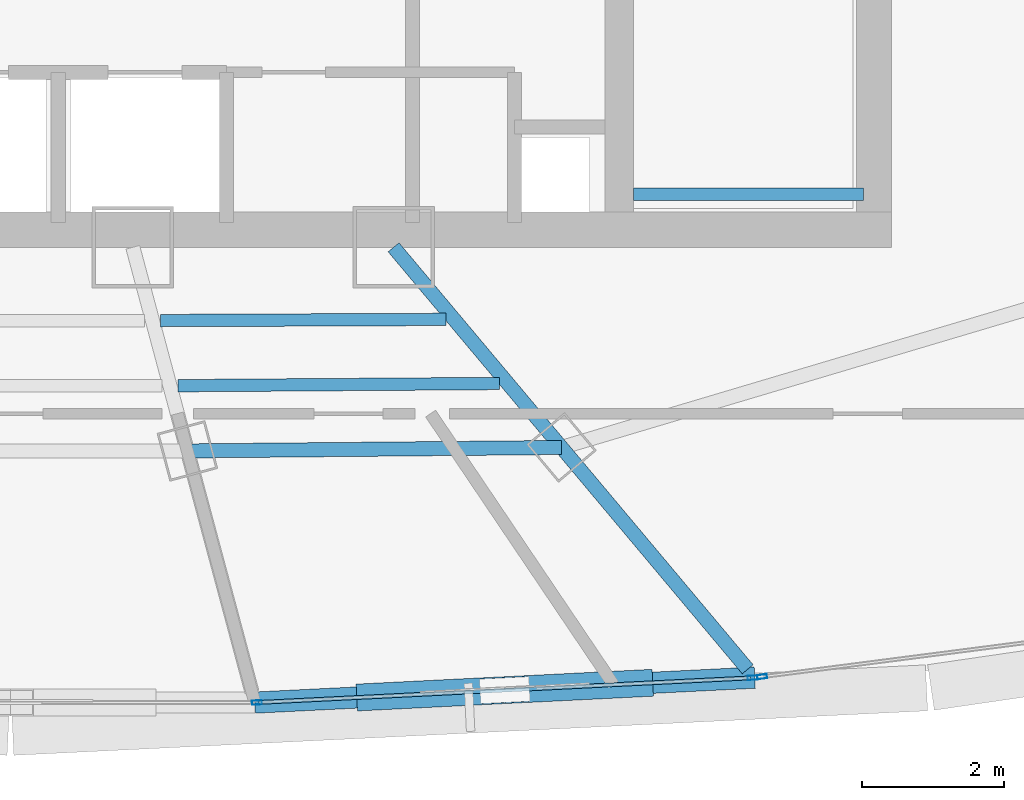
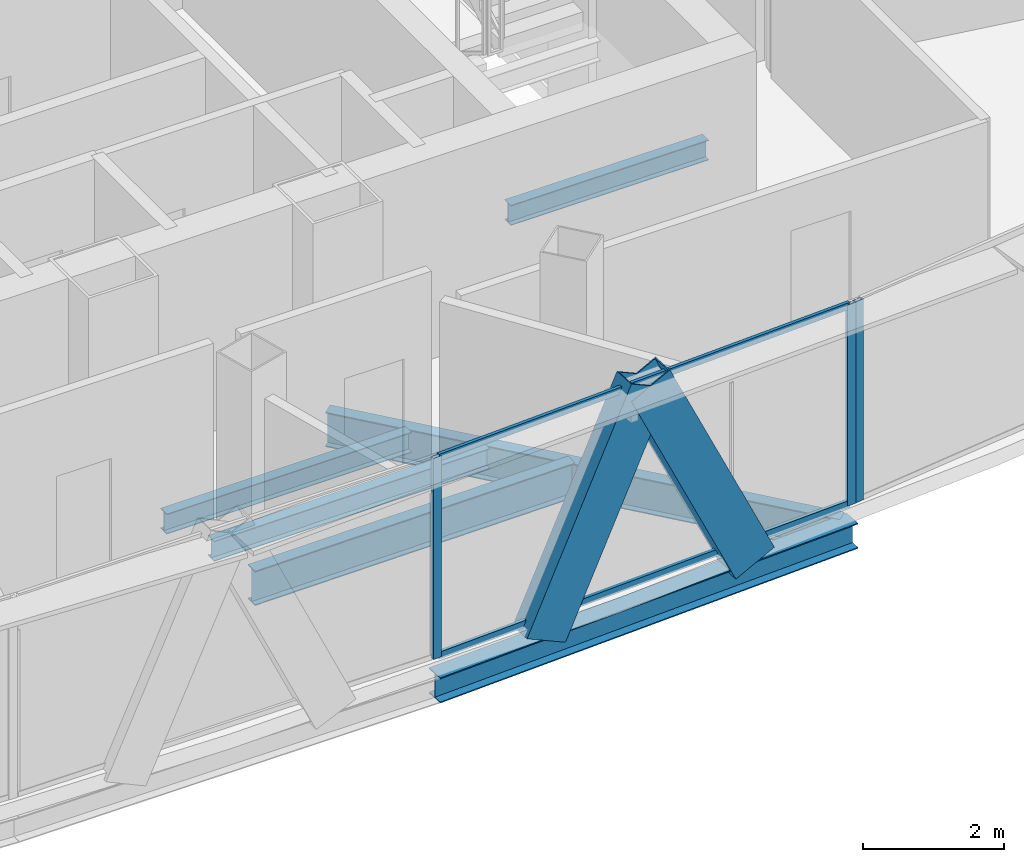
# One storey, part 12 of 33: 7 members, 6 beams, 2 elements without a shape of their own.
"""IFC4 building model written with IfcOpenShell, lengths in metres."""

from ifc_helpers import new_model, si_unit, direction, frame, origin, origin_2d, place, context, subcontext, project, spatial, hollow_rectangle, i_section, extrude, source, transform, mapped, material, layer, layer_set, material_profile, profile_set, type_object, element, aggregate, save


model = new_model("IFC4")

# Units and contexts
model_context = context("Model", 3, precision=1e-05, world=origin(), true_north=direction((0.0, 1.0)))
body_context = subcontext(model_context, "Body", "Model", "MODEL_VIEW")
ifc_project = project(units=[si_unit("LENGTHUNIT", "METRE"), si_unit("AREAUNIT", "SQUARE_METRE"), si_unit("VOLUMEUNIT", "CUBIC_METRE"), si_unit("PLANEANGLEUNIT", "RADIAN"), si_unit("MASSUNIT", "GRAM", prefix="KILO"), si_unit("THERMODYNAMICTEMPERATUREUNIT", "KELVIN"), si_unit("POWERUNIT", "WATT")], contexts=[model_context])

# Site, building, storey
site_placement = place(None, origin())
site = spatial("IfcSite", under=ifc_project, at=site_placement, CompositionType="ELEMENT")
building_placement = place(site_placement, origin())
building = spatial("IfcBuilding", under=site, at=building_placement, Name="Yunzhuo Pagoda Commons", CompositionType="ELEMENT")
storey_placement = place(building_placement, frame((0.0, 0.0, 325.510009765625)))
storey = spatial("IfcBuildingStorey", under=building, at=storey_placement, Name="L81", CompositionType="ELEMENT", Elevation=325.510009765625)

# Beams
ifc_material_1 = material(Name="Structural steel Q355B", Category="steel")
ifc_material_profile_1 = material_profile(ifc_material_1, i_section(OverallWidth=0.175048828125, OverallDepth=0.35009765625, WebThickness=0.007080078125, FlangeThickness=0.010986328125, at=origin_2d()), Name="Structural steel Q355B")
ifc_profile_set_1 = profile_set([ifc_material_profile_1], Name="Structural steel Q355B")
beam_type_1 = type_object("IfcBeamType", Name="B-JS2 Joist HN 350x175x7x11", PredefinedType="JOIST", material=ifc_profile_set_1)
shared_shape_1 = source(origin(), body_context, "Body", "SweptSolid", [
    extrude(i_section(OverallWidth=0.175048828125, OverallDepth=0.35009765625, WebThickness=0.007080078125, FlangeThickness=0.010986328125, at=origin_2d()), origin(), (0.0, 0.0, 1.0), 3.25),
])
beam_1_placement = place(storey_placement, frame((56.800048828125, 28.0, 1.5), z_axis=(1.0, 0.0, 0.0), x_axis=(0.0, 1.0, 0.0)))
element("IfcBeam", 1, at=beam_1_placement, inside=storey, type_object=beam_type_1, Name="L81 ST2 landing support beam 87A", PredefinedType="JOIST", context=body_context, shape_type="MappedRepresentation", body=[
    mapped(shared_shape_1, transform((0.0, 0.0, 0.0), scale=1.0)),
])
ifc_material_profile_2 = material_profile(ifc_material_1, i_section(OverallWidth=0.300048828125, OverallDepth=0.43994140625, WebThickness=0.010986328125, FlangeThickness=0.01806640625, at=origin_2d()), Name="Structural steel Q355B")
ifc_profile_set_2 = profile_set([ifc_material_profile_2], Name="Structural steel Q355B")
beam_type_2 = type_object("IfcBeamType", Name="B-SP2 Beam HM 440x300x11x18", PredefinedType="BEAM", material=ifc_profile_set_2)
shared_shape_2 = source(origin(), body_context, "Body", "SweptSolid", [
    extrude(i_section(OverallWidth=0.300048828125, OverallDepth=0.43994140625, WebThickness=0.010986328125, FlangeThickness=0.01806640625, at=origin_2d()), origin(), (0.0, 0.0, 1.0), 7.0712890625),
])
beam_2_placement = place(storey_placement, frame((51.451904296875, 20.817138671875, -0.47998046875), z_axis=(0.998758186738, 0.049820522105, 0.0), x_axis=(-0.049820522105, 0.998758186738, 0.0)))
element("IfcBeam", 2, at=beam_2_placement, inside=storey, type_object=beam_type_2, Name="L81 facade edge spandrel beam F1.3", PredefinedType="BEAM", context=body_context, shape_type="MappedRepresentation", body=[
    mapped(shared_shape_2, transform((0.0, 0.0, 0.0), scale=1.0)),
])
ifc_material_profile_3 = material_profile(ifc_material_1, i_section(OverallWidth=0.199951171875, OverallDepth=0.60009765625, WebThickness=0.010986328125, FlangeThickness=0.01708984375, at=origin_2d()), Name="Structural steel Q355B")
ifc_profile_set_3 = profile_set([ifc_material_profile_3], Name="Structural steel Q355B")
beam_type_3 = type_object("IfcBeamType", Name="B-RG3 Beam HN 600x200x11x17", PredefinedType="BEAM", material=ifc_profile_set_3)
shared_shape_3 = source(origin(), body_context, "Body", "SweptSolid", [
    extrude(i_section(OverallWidth=0.199951171875, OverallDepth=0.60009765625, WebThickness=0.010986328125, FlangeThickness=0.01708984375, at=origin_2d()), origin(), (0.0, 0.0, 1.0), 5.286376953125),
])
beam_3_placement = place(storey_placement, frame((50.499267578125, 24.372802734375, -0.56005859375), z_axis=(0.999957341442, 0.009236627946, 0.0), x_axis=(-0.009236627946, 0.999957341442, 0.0)))
element("IfcBeam", 3, at=beam_3_placement, inside=storey, type_object=beam_type_3, Name="L81 column-ring beam 3", PredefinedType="BEAM", context=body_context, shape_type="MappedRepresentation", body=[
    mapped(shared_shape_3, transform((0.0, 0.0, 0.0), scale=1.0)),
])
shared_shape_4 = source(origin(), body_context, "Body", "SweptSolid", [
    extrude(i_section(OverallWidth=0.199951171875, OverallDepth=0.60009765625, WebThickness=0.010986328125, FlangeThickness=0.01708984375, at=origin_2d()), origin(), (0.0, 0.0, 1.0), 7.78271484375),
])
beam_4_placement = place(storey_placement, frame((58.414794921875, 21.2880859375, -0.56005859375), z_axis=(-0.642791052162, 0.766041554526, 0.0), x_axis=(-0.766041554526, -0.642791052162, 0.0)))
element("IfcBeam", 4, at=beam_4_placement, inside=storey, type_object=beam_type_3, Name="L81 radial floor girder F1C4", PredefinedType="BEAM", context=body_context, shape_type="MappedRepresentation", body=[
    mapped(shared_shape_4, transform((0.0, 0.0, 0.0), scale=1.0)),
])
shared_shape_5 = source(origin(), body_context, "Body", "SweptSolid", [
    extrude(i_section(OverallWidth=0.175048828125, OverallDepth=0.35009765625, WebThickness=0.007080078125, FlangeThickness=0.010986328125, at=origin_2d()), origin(), (0.0, 0.0, 1.0), 4.03076171875),
])
beam_5_placement = place(storey_placement, frame((50.120849609375, 26.214599609375, -0.43505859375), z_axis=(0.999991518197, 0.004118680996, 0.0), x_axis=(-0.004118680996, 0.999991518197, 0.0)))
element("IfcBeam", 5, at=beam_5_placement, inside=storey, type_object=beam_type_1, Name="L81 composite ring joist 1.3", PredefinedType="JOIST", context=body_context, shape_type="MappedRepresentation", body=[
    mapped(shared_shape_5, transform((0.0, 0.0, 0.0), scale=1.0)),
])
shared_shape_6 = source(origin(), body_context, "Body", "SweptSolid", [
    extrude(i_section(OverallWidth=0.175048828125, OverallDepth=0.35009765625, WebThickness=0.007080078125, FlangeThickness=0.010986328125, at=origin_2d()), origin(), (0.0, 0.0, 1.0), 4.54345703125),
])
beam_6_placement = place(storey_placement, frame((50.367431640625, 25.29443359375, -0.43505859375), z_axis=(0.999975976237, 0.006931590593, 0.0), x_axis=(-0.006931590593, 0.999975976237, 0.0)))
element("IfcBeam", 6, at=beam_6_placement, inside=storey, type_object=beam_type_1, Name="L81 composite ring joist 2.3", PredefinedType="JOIST", context=body_context, shape_type="MappedRepresentation", body=[
    mapped(shared_shape_6, transform((0.0, 0.0, 0.0), scale=1.0)),
])

# Members
ifc_material_profile_4 = material_profile(ifc_material_1, hollow_rectangle(XDim=0.3798828125, YDim=0.719970703125, WallThickness=0.02001953125, at=origin_2d()), Name="Structural steel Q355B")
ifc_profile_set_4 = profile_set([ifc_material_profile_4], Name="Structural steel Q355B")
member_type_1 = type_object("IfcMemberType", Name="M-DL3 Brace BOX 720x380x20", PredefinedType="BRACE", material=ifc_profile_set_4)
shared_shape_7 = source(origin(), body_context, "Body", "SweptSolid", [
    extrude(hollow_rectangle(XDim=0.3798828125, YDim=0.719970703125, WallThickness=0.02001953125, at=origin_2d()), origin(), (0.0, 0.0, 1.0), 4.145751953125),
])
for number, where, z_axis, x_axis, name in (
    (7, (53.217529296875, 20.905029296875, -0.260009765625), (0.425882304074, 0.021258782048, 0.904528787415), (-0.049854961977, 0.998756468197, 0.0), "L81 facade diamond brace F1.3L"),
    (8, (56.748779296875, 21.081298828125, -0.260009765625), (-0.425882304074, -0.021258782048, 0.904528787415), (0.049854961977, -0.998756468197, 0.0), "L81 facade diamond brace F1.3R"),
):
    element("IfcMember", number, at=place(storey_placement, frame(where, z_axis=z_axis, x_axis=x_axis)), inside=storey, type_object=member_type_1, Name=name, PredefinedType="BRACE", context=body_context, shape_type="MappedRepresentation", body=[
        mapped(shared_shape_7, transform((0.0, 0.0, 0.0), scale=1.0)),
    ])

# Curtain wall, members
ifc_material_2 = material(Name="Anodized aluminium 6063-T6", Category="aluminium")
ifc_layer = layer(ifc_material_2, 0.139892578125)
ifc_layer_set = layer_set([ifc_layer], Name="Anodized aluminium 6063-T6")
curtain_wall_type = type_object("IfcCurtainWallType", Name="CW-HI High-Zone Ribbon Curtain Wall", PredefinedType="NOTDEFINED", material=ifc_layer_set)
curtain_wall_1_placement = place(storey_placement, origin())
curtain_wall_1 = element("IfcCurtainWall", 9, at=curtain_wall_1_placement, inside=storey, type_object=curtain_wall_type, Name="L81 curtain wall CW-L81-F1B4", PredefinedType="NOTDEFINED")
ifc_material_profile_5 = material_profile(ifc_material_2, hollow_rectangle(XDim=0.06005859375, YDim=0.139892578125, WallThickness=0.00341796875, at=origin_2d()), Name="Anodized aluminium 6063-T6")
ifc_profile_set_5 = profile_set([ifc_material_profile_5], Name="Anodized aluminium 6063-T6")
member_type_2 = type_object("IfcMemberType", Name="CW-HI-M Mullion RHS 140x60x3.5", PredefinedType="MULLION", material=ifc_profile_set_5)
shared_shape_8 = source(origin(), body_context, "Body", "SweptSolid", [
    extrude(hollow_rectangle(XDim=0.06005859375, YDim=0.139892578125, WallThickness=0.00341796875, at=origin_2d()), origin(), (0.0, 0.0, 1.0), 3.489990234375),
])
member_1_placement = place(storey_placement, frame((51.48193359375, 20.818359375, 0.0), z_axis=(0.0, 0.0, 1.0), x_axis=(-0.049850155702, 0.998756708101, 0.0)))
member_1 = element("IfcMember", 10, at=member_1_placement, type_object=member_type_2, Name="CW mullion 1", PredefinedType="MULLION", context=body_context, shape_type="MappedRepresentation", body=[
    mapped(shared_shape_8, transform((0.0, 0.0, 0.0), scale=1.0)),
])
member_2_placement = place(storey_placement, frame((58.484375, 21.16796875, 0.0), z_axis=(0.0, 0.0, 1.0), x_axis=(-0.049850155702, 0.998756708101, 0.0)))
member_2 = element("IfcMember", 11, at=member_2_placement, type_object=member_type_2, Name="CW mullion 2", PredefinedType="MULLION", context=body_context, shape_type="MappedRepresentation", body=[
    mapped(shared_shape_8, transform((0.0, 0.0, 0.0), scale=1.0)),
])

# Curtain wall, member
curtain_wall_2_placement = place(storey_placement, origin())
curtain_wall_2 = element("IfcCurtainWall", 12, at=curtain_wall_2_placement, inside=storey, type_object=curtain_wall_type, Name="L81 curtain wall CW-L81-F1B5", PredefinedType="NOTDEFINED")
member_3_placement = place(storey_placement, frame((58.61865234375, 21.182861328125, 0.0), z_axis=(0.0, 0.0, 1.0), x_axis=(-0.128276018031, 0.991738505453, 0.0)))
member_3 = element("IfcMember", 13, at=member_3_placement, type_object=member_type_2, Name="CW mullion 1", PredefinedType="MULLION", context=body_context, shape_type="MappedRepresentation", body=[
    mapped(shared_shape_8, transform((0.0, 0.0, 0.0), scale=1.0)),
])
aggregate(curtain_wall_2, [member_3])

# Member
ifc_material_profile_6 = material_profile(ifc_material_2, hollow_rectangle(XDim=0.054931640625, YDim=0.1201171875, WallThickness=0.00341796875, at=origin_2d()), Name="Anodized aluminium 6063-T6")
ifc_profile_set_6 = profile_set([ifc_material_profile_6], Name="Anodized aluminium 6063-T6")
member_type_3 = type_object("IfcMemberType", Name="CW-HI-T Transom RHS 120x55x3.5", PredefinedType="USERDEFINED", material=ifc_profile_set_6)
shared_shape_9 = source(origin(), body_context, "Body", "SweptSolid", [
    extrude(hollow_rectangle(XDim=0.054931640625, YDim=0.1201171875, WallThickness=0.00341796875, at=origin_2d()), origin(), (0.0, 0.0, 1.0), 6.951171875),
])
member_4_placement = place(storey_placement, frame((51.511962890625, 20.81982421875, 0.027587890625), z_axis=(0.99875557743, 0.04987280374, 0.0), x_axis=(-0.04987280374, 0.99875557743, 0.0)))
member_4 = element("IfcMember", 14, at=member_4_placement, type_object=member_type_3, Name="CW transom 1.1", ObjectType="TRANSOM", PredefinedType="USERDEFINED", context=body_context, shape_type="MappedRepresentation", body=[
    mapped(shared_shape_9, transform((0.0, 0.0, 0.0), scale=1.0)),
])

member_5_placement = place(storey_placement, frame((51.511962890625, 20.81982421875, 3.46240234375), z_axis=(0.99875557743, 0.04987280374, 0.0), x_axis=(-0.04987280374, 0.99875557743, 0.0)))
member_5 = element("IfcMember", 15, at=member_5_placement, type_object=member_type_3, Name="CW transom 1.2", ObjectType="TRANSOM", PredefinedType="USERDEFINED", context=body_context, shape_type="MappedRepresentation", body=[
    mapped(shared_shape_9, transform((0.0, 0.0, 0.0), scale=1.0)),
])

aggregate(curtain_wall_1, [member_1, member_2, member_4, member_5])

save(model, "model.ifc")
